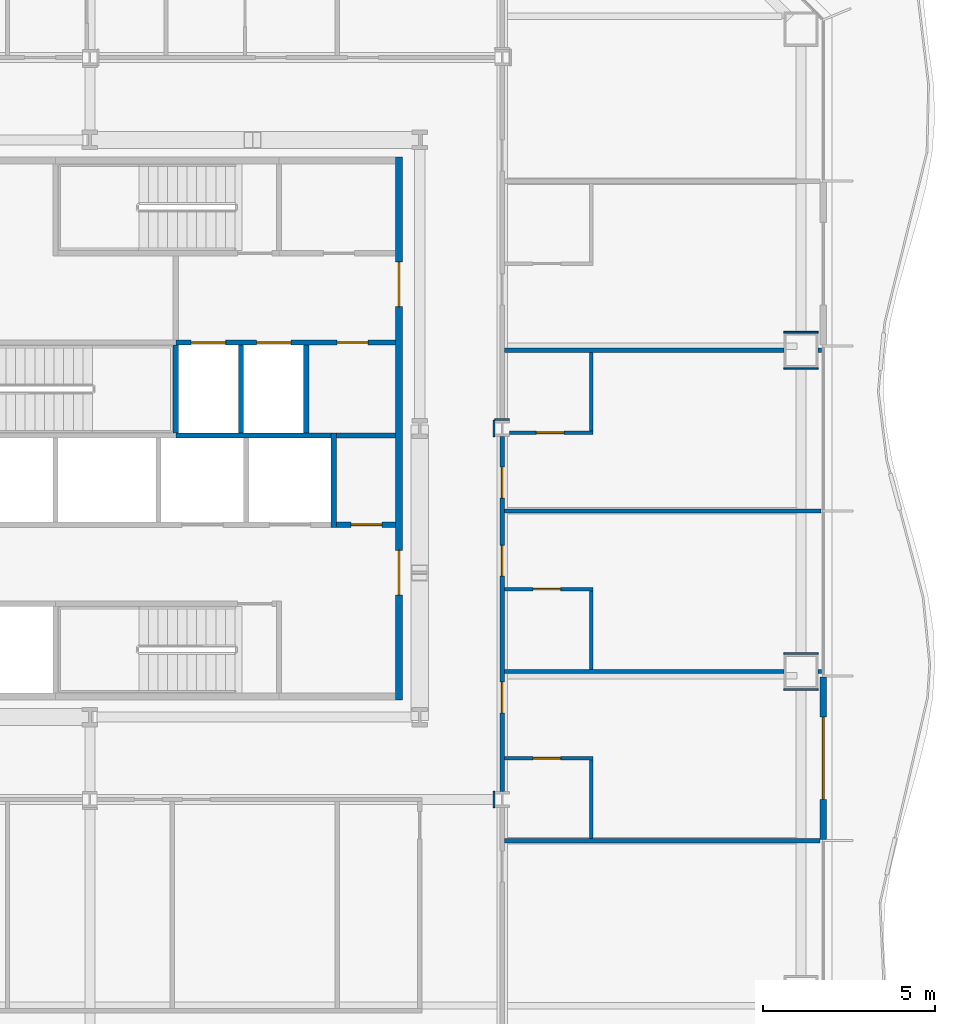
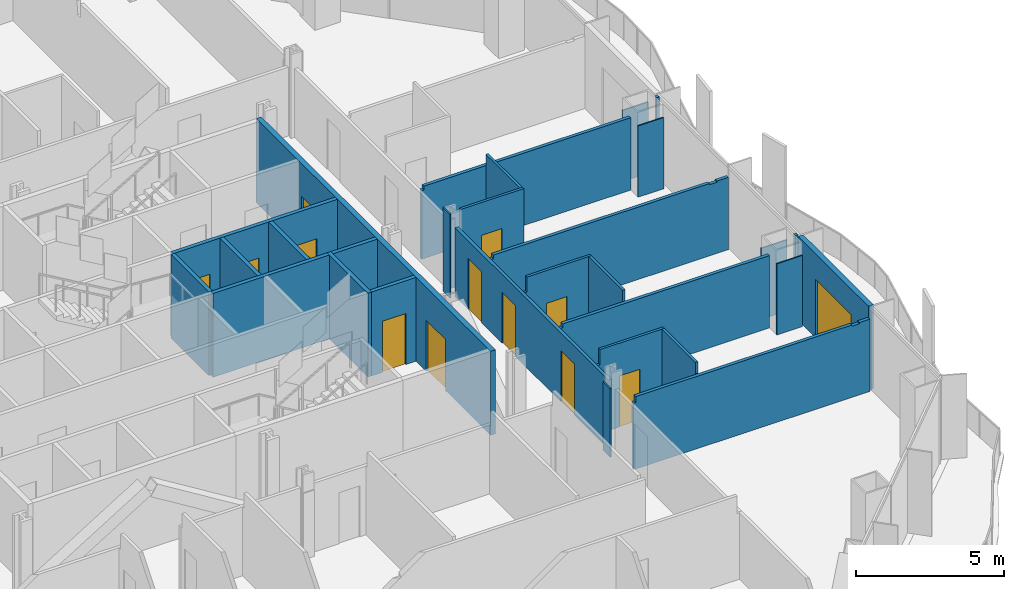
# One storey, part 11 of 21: 30 walls, 13 doors, 13 openings.
"""IFC4 building model written with IfcOpenShell, lengths in metres."""

from ifc_helpers import new_model, si_unit, direction, frame, frame_2d, origin, place, context, subcontext, project, spatial, polyline, rectangle, outline, extrude, material, layer, layer_set, type_object, element, fill, save


model = new_model("IFC4")

# Units and contexts
model_context = context("Model", 3, precision=1e-05, world=origin(), true_north=direction((0.0, 1.0)))
body_context = subcontext(model_context, "Body", "Model", "MODEL_VIEW")
ifc_project = project(units=[si_unit("LENGTHUNIT", "METRE"), si_unit("AREAUNIT", "SQUARE_METRE"), si_unit("VOLUMEUNIT", "CUBIC_METRE"), si_unit("PLANEANGLEUNIT", "RADIAN"), si_unit("MASSUNIT", "GRAM", prefix="KILO")], contexts=[model_context])

# Site, building, storey
site_placement = place(None, origin())
site = spatial("IfcSite", under=ifc_project, at=site_placement, CompositionType="ELEMENT")
building_placement = place(site_placement, origin())
building = spatial("IfcBuilding", under=site, at=building_placement, Name="Cairn Pilgrim Tower", CompositionType="ELEMENT")
storey_placement = place(building_placement, frame((0.0, 0.0, 54.60009765625)))
storey = spatial("IfcBuildingStorey", under=building, at=storey_placement, Name="L11", CompositionType="ELEMENT", Elevation=54.60009765625)

# Wall, opening, door
ifc_material_1 = material(Name="Bronze anodised aluminium insulated sandwich panel with mineral wool fill", Category="aluminium")
ifc_layer_1 = layer(ifc_material_1, 0.199951171875)
ifc_layer_set_1 = layer_set([ifc_layer_1], Name="BRONZE INFILL FRAME WALL 200")
wall_type_1 = type_object("IfcWallType", Name="BRONZE INFILL FRAME WALL 200", PredefinedType="NOTDEFINED", material=ifc_layer_set_1)
wall_1_placement = place(storey_placement, frame((28.550048828125, -9.570068359375, 0.0), z_axis=(0.0, 0.0, 1.0), x_axis=(0.0, 1.0, 0.0)))
wall_1 = element("IfcWall", 1, at=wall_1_placement, inside=storey, type_object=wall_type_1, Name="Bronze infill frame wall IW-E2", PredefinedType="NOTDEFINED", context=body_context, shape_type="SweptSolid", body=[
    extrude(rectangle(XDim=4.739990234375, YDim=0.199951171875, at=frame_2d((2.3701171875, 0.0))), origin(), (0.0, 0.0, 1.0), 3.449951171875),
])
opening_1_placement = place(wall_1_placement, frame((1.169921875, 0.0, 0.0)))
opening_1 = element("IfcOpeningElement", 2, at=opening_1_placement, cuts=wall_1, Name="Opening 1123B", PredefinedType="OPENING", context=body_context, shape_type="SweptSolid", body=[
    extrude(rectangle(XDim=2.39990234375, YDim=2.39990234375, at=frame_2d((1.199951171875, 1.199951171875))), frame((0.0, 0.10986328125, 0.0), z_axis=(0.0, -1.0, 0.0), x_axis=(1.0, 0.0, 0.0)), (0.0, 0.0, 1.0), 0.219970703125),
])
ifc_material_2 = material(Name="Bronze anodised aluminium frame with tinted low-E glass", Category="aluminium")
door_type_1 = type_object("IfcDoorType", Name="BALCONY SLIDING DOOR 2400x2400", OperationType="DOUBLE_DOOR_SLIDING", PredefinedType="DOOR", material=ifc_material_2)
door_1_placement = place(opening_1_placement, origin())
door_1 = element("IfcDoor", 3, at=door_1_placement, inside=storey, type_object=door_type_1, Name="Balcony sliding door 1123B", OperationType="SINGLE_SWING_LEFT", OverallHeight=2.39990234375, OverallWidth=2.39990234375, PredefinedType="DOOR", context=body_context, shape_type="SweptSolid", body=[
    extrude(rectangle(XDim=2.39990234375, YDim=2.39990234375, at=frame_2d((1.199951171875, 1.199951171875))), frame((0.0, 0.02490234375, 0.0), z_axis=(0.0, -1.0, 0.0), x_axis=(1.0, 0.0, 0.0)), (0.0, 0.0, 1.0), 0.050048828125),
])
fill(opening_1, door_1)

# Wall, openings, doors
ifc_material_3 = material(Name="Concrete C32/40", Category="concrete")
ifc_layer_2 = layer(ifc_material_3, 0.199951171875)
ifc_layer_set_2 = layer_set([ifc_layer_2], Name="CORE OUTER WALL 200 EI 120")
wall_type_2 = type_object("IfcWallType", Name="CORE OUTER WALL 200 EI 120", PredefinedType="SOLIDWALL", material=ifc_layer_set_2)
wall_2_placement = place(storey_placement, frame((16.199951171875, -5.5, 0.0), z_axis=(0.0, 0.0, 1.0), x_axis=(0.0, 1.0, 0.0)))
wall_2 = element("IfcWall", 4, at=wall_2_placement, inside=storey, type_object=wall_type_2, Name="CW:L11:V33", PredefinedType="SOLIDWALL", context=body_context, shape_type="SweptSolid", body=[
    extrude(rectangle(XDim=15.800048828125, YDim=0.199951171875, at=frame_2d((7.89990234375, 0.0))), origin(), (0.0, 0.0, 1.0), 3.449951171875),
])
opening_2_placement = place(wall_2_placement, frame((3.050048828125, 0.0, 0.0)))
opening_2 = element("IfcOpeningElement", 5, at=opening_2_placement, cuts=wall_2, Name="Opening CD-E1", PredefinedType="OPENING", context=body_context, shape_type="SweptSolid", body=[
    extrude(rectangle(XDim=1.300048828125, YDim=2.10009765625, at=frame_2d((0.64990234375, 1.050048828125))), frame((0.0, 0.10986328125, 0.0), z_axis=(0.0, -1.0, 0.0), x_axis=(1.0, 0.0, 0.0)), (0.0, 0.0, 1.0), 0.219970703125),
])
opening_3_placement = place(wall_2_placement, frame((11.449951171875, 0.0, 0.0)))
opening_3 = element("IfcOpeningElement", 6, at=opening_3_placement, cuts=wall_2, Name="Opening CD-E2", PredefinedType="OPENING", context=body_context, shape_type="SweptSolid", body=[
    extrude(rectangle(XDim=1.300048828125, YDim=2.10009765625, at=frame_2d((0.64990234375, 1.050048828125))), frame((0.0, 0.10986328125, 0.0), z_axis=(0.0, -1.0, 0.0), x_axis=(1.0, 0.0, 0.0)), (0.0, 0.0, 1.0), 0.219970703125),
])
ifc_material_4 = material(Name="Painted steel", Category="steel")
door_type_2 = type_object("IfcDoorType", Name="CORE LOBBY DOOR 1300x2100", OperationType="DOUBLE_DOOR_SINGLE_SWING", PredefinedType="DOOR", material=ifc_material_4)
door_2_placement = place(opening_2_placement, origin())
door_2 = element("IfcDoor", 7, at=door_2_placement, inside=storey, type_object=door_type_2, Name="CD-E1", OperationType="DOUBLE_DOOR_SINGLE_SWING", OverallHeight=2.10009765625, OverallWidth=1.300048828125, PredefinedType="DOOR", context=body_context, shape_type="SweptSolid", body=[
    extrude(rectangle(XDim=1.300048828125, YDim=2.10009765625, at=frame_2d((0.64990234375, 1.050048828125))), frame((0.0, 0.02490234375, 0.0), z_axis=(0.0, -1.0, 0.0), x_axis=(1.0, 0.0, 0.0)), (0.0, 0.0, 1.0), 0.050048828125),
])
fill(opening_2, door_2)
door_3_placement = place(opening_3_placement, origin())
door_3 = element("IfcDoor", 8, at=door_3_placement, inside=storey, type_object=door_type_2, Name="CD-E2", OperationType="DOUBLE_DOOR_SINGLE_SWING", OverallHeight=2.10009765625, OverallWidth=1.300048828125, PredefinedType="DOOR", context=body_context, shape_type="SweptSolid", body=[
    extrude(rectangle(XDim=1.300048828125, YDim=2.10009765625, at=frame_2d((0.64990234375, 1.050048828125))), frame((0.0, 0.02490234375, 0.0), z_axis=(0.0, -1.0, 0.0), x_axis=(1.0, 0.0, 0.0)), (0.0, 0.0, 1.0), 0.050048828125),
])
fill(opening_3, door_3)

# Wall, opening, door
ifc_layer_3 = layer(ifc_material_3, 0.14990234375)
ifc_layer_set_3 = layer_set([ifc_layer_3], Name="CORE PARTITION 150 EI 60")
wall_type_3 = type_object("IfcWallType", Name="CORE PARTITION 150 EI 60", PredefinedType="PARTITIONING", material=ifc_layer_set_3)
wall_3_placement = place(storey_placement, frame((14.375, -0.39990234375, 0.0), z_axis=(0.0, 0.0, 1.0), x_axis=(1.0, 0.0, 0.0)))
wall_3 = element("IfcWall", 9, at=wall_3_placement, inside=storey, type_object=wall_type_3, Name="CW:L11:H04", PredefinedType="PARTITIONING", context=body_context, shape_type="SweptSolid", body=[
    extrude(rectangle(XDim=1.72509765625, YDim=0.14990234375, at=frame_2d((0.862548828125, 0.0))), origin(), (0.0, 0.0, 1.0), 3.449951171875),
])
opening_4_placement = place(wall_3_placement, frame((0.425048828125, 0.0, 0.0)))
opening_4 = element("IfcOpeningElement", 10, at=opening_4_placement, cuts=wall_3, Name="Opening RD-R2E", PredefinedType="OPENING", context=body_context, shape_type="SweptSolid", body=[
    extrude(rectangle(XDim=0.89990234375, YDim=2.10009765625, at=frame_2d((0.449951171875, 1.050048828125))), frame((0.0, 0.0849609375, 0.0), z_axis=(0.0, -1.0, 0.0), x_axis=(1.0, 0.0, 0.0)), (0.0, 0.0, 1.0), 0.169921875),
])
door_type_3 = type_object("IfcDoorType", Name="SERVICE ROOM DOOR 900x2100", OperationType="SINGLE_SWING_LEFT", PredefinedType="DOOR", material=ifc_material_4)
door_4_placement = place(opening_4_placement, origin())
door_4 = element("IfcDoor", 11, at=door_4_placement, inside=storey, type_object=door_type_3, Name="RD-R2E", OperationType="SINGLE_SWING_RIGHT", OverallHeight=2.10009765625, OverallWidth=0.89990234375, PredefinedType="DOOR", context=body_context, shape_type="SweptSolid", body=[
    extrude(rectangle(XDim=0.89990234375, YDim=2.10009765625, at=frame_2d((0.449951171875, 1.050048828125))), frame((0.0, 0.02490234375, 0.0), z_axis=(0.0, -1.0, 0.0), x_axis=(1.0, 0.0, 0.0)), (0.0, 0.0, 1.0), 0.050048828125),
])
fill(opening_4, door_4)

# Walls
wall_4_placement = place(storey_placement, frame((14.375, 2.199951171875, 0.0), z_axis=(0.0, 0.0, 1.0), x_axis=(1.0, 0.0, 0.0)))
element("IfcWall", 12, at=wall_4_placement, inside=storey, type_object=wall_type_3, Name="CW:L11:H06", PredefinedType="PARTITIONING", context=body_context, shape_type="SweptSolid", body=[
    extrude(rectangle(XDim=1.72509765625, YDim=0.14990234375, at=frame_2d((0.862548828125, 0.0))), origin(), (0.0, 0.0, 1.0), 3.449951171875),
])
ifc_layer_4 = layer(ifc_material_3, 0.14990234375)
ifc_layer_set_4 = layer_set([ifc_layer_4], Name="CORE SHAFT WALL 150 EI 120")
wall_type_4 = type_object("IfcWallType", Name="CORE SHAFT WALL 150 EI 120", PredefinedType="SOLIDWALL", material=ifc_layer_set_4)
wall_5_placement = place(storey_placement, frame((9.699951171875, 2.199951171875, 0.0), z_axis=(0.0, 0.0, 1.0), x_axis=(1.0, 0.0, 0.0)))
element("IfcWall", 13, at=wall_5_placement, inside=storey, type_object=wall_type_4, Name="CW:L11:H05-3", PredefinedType="SOLIDWALL", context=body_context, shape_type="SweptSolid", body=[
    extrude(rectangle(XDim=4.525146484375, YDim=0.14990234375, at=frame_2d((2.2626953125, 0.0))), origin(), (0.0, 0.0, 1.0), 3.449951171875),
])

# Wall, openings, doors
wall_6_placement = place(storey_placement, frame((9.699951171875, 4.89990234375, 0.0), z_axis=(0.0, 0.0, 1.0), x_axis=(1.0, 0.0, 0.0)))
wall_6 = element("IfcWall", 14, at=wall_6_placement, inside=storey, type_object=wall_type_4, Name="CW:L11:H08-2", PredefinedType="SOLIDWALL", context=body_context, shape_type="SweptSolid", body=[
    extrude(rectangle(XDim=6.400146484375, YDim=0.14990234375, at=frame_2d((3.2001953125, 0.0))), origin(), (0.0, 0.0, 1.0), 3.449951171875),
])
opening_5_placement = place(wall_6_placement, frame((0.449951171875, 0.0, 0.0)))
opening_5 = element("IfcOpeningElement", 15, at=opening_5_placement, cuts=wall_6, Name="Opening LD-FF1", PredefinedType="OPENING", context=body_context, shape_type="SweptSolid", body=[
    extrude(rectangle(XDim=1.0, YDim=2.10009765625, at=frame_2d((0.5, 1.050048828125))), frame((0.0, 0.0849609375, 0.0), z_axis=(0.0, -1.0, 0.0), x_axis=(1.0, 0.0, 0.0)), (0.0, 0.0, 1.0), 0.169921875),
])
opening_6_placement = place(wall_6_placement, frame((2.35009765625, 0.0, 0.0)))
opening_6 = element("IfcOpeningElement", 16, at=opening_6_placement, cuts=wall_6, Name="Opening LD-FF2", PredefinedType="OPENING", context=body_context, shape_type="SweptSolid", body=[
    extrude(rectangle(XDim=1.0, YDim=2.10009765625, at=frame_2d((0.5, 1.050048828125))), frame((0.0, 0.0849609375, 0.0), z_axis=(0.0, -1.0, 0.0), x_axis=(1.0, 0.0, 0.0)), (0.0, 0.0, 1.0), 0.169921875),
])
opening_7_placement = place(wall_6_placement, frame((4.699951171875, 0.0, 0.0)))
opening_7 = element("IfcOpeningElement", 17, at=opening_7_placement, cuts=wall_6, Name="Opening RD-R3E", PredefinedType="OPENING", context=body_context, shape_type="SweptSolid", body=[
    extrude(rectangle(XDim=0.89990234375, YDim=2.10009765625, at=frame_2d((0.449951171875, 1.050048828125))), frame((0.0, 0.0849609375, 0.0), z_axis=(0.0, -1.0, 0.0), x_axis=(1.0, 0.0, 0.0)), (0.0, 0.0, 1.0), 0.169921875),
])
ifc_material_5 = material(Name="Stainless steel", Category="steel")
door_type_4 = type_object("IfcDoorType", Name="LIFT LANDING DOOR FIRE 1000x2100", OperationType="DOUBLE_DOOR_SLIDING", PredefinedType="DOOR", material=ifc_material_5)
door_5_placement = place(opening_5_placement, origin())
door_5 = element("IfcDoor", 18, at=door_5_placement, inside=storey, type_object=door_type_4, Name="LANDING DOOR FF1", OperationType="DOUBLE_DOOR_SLIDING", OverallHeight=2.10009765625, OverallWidth=1.0, PredefinedType="DOOR", context=body_context, shape_type="SweptSolid", body=[
    extrude(rectangle(XDim=1.0, YDim=2.10009765625, at=frame_2d((0.5, 1.050048828125))), frame((0.0, 0.02490234375, 0.0), z_axis=(0.0, -1.0, 0.0), x_axis=(1.0, 0.0, 0.0)), (0.0, 0.0, 1.0), 0.050048828125),
])
fill(opening_5, door_5)
door_6_placement = place(opening_6_placement, origin())
door_6 = element("IfcDoor", 19, at=door_6_placement, inside=storey, type_object=door_type_4, Name="LANDING DOOR FF2", OperationType="DOUBLE_DOOR_SLIDING", OverallHeight=2.10009765625, OverallWidth=1.0, PredefinedType="DOOR", context=body_context, shape_type="SweptSolid", body=[
    extrude(rectangle(XDim=1.0, YDim=2.10009765625, at=frame_2d((0.5, 1.050048828125))), frame((0.0, 0.02490234375, 0.0), z_axis=(0.0, -1.0, 0.0), x_axis=(1.0, 0.0, 0.0)), (0.0, 0.0, 1.0), 0.050048828125),
])
fill(opening_6, door_6)
door_7_placement = place(opening_7_placement, origin())
door_7 = element("IfcDoor", 20, at=door_7_placement, inside=storey, type_object=door_type_3, Name="RD-R3E", OperationType="SINGLE_SWING_LEFT", OverallHeight=2.10009765625, OverallWidth=0.89990234375, PredefinedType="DOOR", context=body_context, shape_type="SweptSolid", body=[
    extrude(rectangle(XDim=0.89990234375, YDim=2.10009765625, at=frame_2d((0.449951171875, 1.050048828125))), frame((0.0, 0.02490234375, 0.0), z_axis=(0.0, -1.0, 0.0), x_axis=(1.0, 0.0, 0.0)), (0.0, 0.0, 1.0), 0.050048828125),
])
fill(opening_7, door_7)

# Walls
for number, where, z_axis, x_axis, name in (
    (21, (11.60009765625, 2.27490234375, 0.0), (0.0, 0.0, 1.0), (0.0, 1.0, 0.0), "CW:L11:V27"),
    (22, (13.5, 2.27490234375, 0.0), (0.0, 0.0, 1.0), (0.0, 1.0, 0.0), "CW:L11:V31"),
):
    element("IfcWall", number, at=place(storey_placement, frame(where, z_axis=z_axis, x_axis=x_axis)), inside=storey, type_object=wall_type_4, Name=name, PredefinedType="SOLIDWALL", context=body_context, shape_type="SweptSolid", body=[
        extrude(rectangle(XDim=2.550048828125, YDim=0.14990234375, at=frame_2d((1.27490234375, 0.0))), origin(), (0.0, 0.0, 1.0), 3.449951171875),
    ])
wall_7_placement = place(storey_placement, frame((14.300048828125, -0.47509765625, 0.0), z_axis=(0.0, 0.0, 1.0), x_axis=(0.0, 1.0, 0.0)))
element("IfcWall", 23, at=wall_7_placement, inside=storey, type_object=wall_type_4, Name="CW:L11:V32", PredefinedType="SOLIDWALL", context=body_context, shape_type="SweptSolid", body=[
    extrude(rectangle(XDim=2.75, YDim=0.14990234375, at=frame_2d((1.375, 0.0))), origin(), (0.0, 0.0, 1.0), 3.449951171875),
])
ifc_material_6 = material(Name="Gypsum partition")
ifc_layer_5 = layer(ifc_material_6, 0.10009765625)
ifc_layer_set_5 = layer_set([ifc_layer_5], Name="PARTITION 100 DRYWALL")
wall_type_5 = type_object("IfcWallType", Name="PARTITION 100 DRYWALL", PredefinedType="PARTITIONING", material=ifc_layer_set_5)
wall_8_placement = place(storey_placement, frame((21.800048828125, -9.53759765625, 0.0), z_axis=(0.0, 0.0, 1.0), x_axis=(0.0, 1.0, 0.0)))
element("IfcWall", 24, at=wall_8_placement, inside=storey, type_object=wall_type_5, Name="PARTITION W029", PredefinedType="PARTITIONING", context=body_context, shape_type="SweptSolid", body=[
    extrude(outline(polyline([(0.0, 0.0), (2.28759765625, 0.0), (2.28759765625, 3.449951171875), (0.032470703125, 3.449951171875), (0.030517578125, 2.97998046875), (0.0, 2.97998046875), (0.0, 0.0)])), frame((0.0, 0.050048828125, 0.0), z_axis=(0.0, -1.0, 0.0), x_axis=(1.0, 0.0, 0.0)), (0.0, 0.0, 1.0), 0.10009765625),
])

# Wall, opening, door
wall_9_placement = place(storey_placement, frame((19.262451171875, -7.199951171875, 0.0), z_axis=(0.0, 0.0, 1.0), x_axis=(1.0, 0.0, 0.0)))
wall_9 = element("IfcWall", 25, at=wall_9_placement, inside=storey, type_object=wall_type_5, Name="PARTITION W036", PredefinedType="PARTITIONING", context=body_context, shape_type="SweptSolid", body=[
    extrude(outline(polyline([(0.0, 0.0), (2.587646484375, 0.0), (2.58740234375, 3.449951171875), (0.08740234375, 3.449951171875), (0.08544921875, 2.829833984375), (0.0, 2.829833984375), (0.0, 0.0)])), frame((0.0, 0.050048828125, 0.0), z_axis=(0.0, -1.0, 0.0), x_axis=(1.0, 0.0, 0.0)), (0.0, 0.0, 1.0), 0.10009765625),
])
opening_8_placement = place(wall_9_placement, frame((0.83740234375, 0.0, 0.0)))
opening_8 = element("IfcOpeningElement", 26, at=opening_8_placement, cuts=wall_9, Name="Opening 1123E", PredefinedType="OPENING", context=body_context, shape_type="SweptSolid", body=[
    extrude(rectangle(XDim=0.800048828125, YDim=2.10009765625, at=frame_2d((0.39990234375, 1.050048828125))), frame((0.0, 0.06005859375, 0.0), z_axis=(0.0, -1.0, 0.0), x_axis=(1.0, 0.0, 0.0)), (0.0, 0.0, 1.0), 0.1201171875),
])
ifc_material_7 = material(Name="Timber door leaf", Category="wood")
door_type_5 = type_object("IfcDoorType", Name="DOOR 800x2100", OperationType="NOTDEFINED", PredefinedType="DOOR", material=ifc_material_7)
door_8_placement = place(opening_8_placement, frame((0.800048828125, 0.0, 0.0), z_axis=(0.0, 0.0, 1.0), x_axis=(-1.0, 0.0, 0.0)))
door_8 = element("IfcDoor", 27, at=door_8_placement, inside=storey, type_object=door_type_5, Name="DOOR 1123E", OperationType="SINGLE_SWING_LEFT", OverallHeight=2.10009765625, OverallWidth=0.800048828125, PredefinedType="DOOR", context=body_context, shape_type="SweptSolid", body=[
    extrude(rectangle(XDim=0.800048828125, YDim=2.10009765625, at=frame_2d((0.39990234375, 1.050048828125))), frame((0.0, 0.02490234375, 0.0), z_axis=(0.0, -1.0, 0.0), x_axis=(1.0, 0.0, 0.0)), (0.0, 0.0, 1.0), 0.050048828125),
])
fill(opening_8, door_8)

# Wall
wall_10_placement = place(storey_placement, frame((21.800048828125, -4.613525390625, 0.0), z_axis=(0.0, 0.0, 1.0), x_axis=(0.0, 1.0, 0.0)))
element("IfcWall", 28, at=wall_10_placement, inside=storey, type_object=wall_type_5, Name="PARTITION W042", PredefinedType="PARTITIONING", context=body_context, shape_type="SweptSolid", body=[
    extrude(rectangle(XDim=2.28759765625, YDim=0.10009765625, at=frame_2d((1.143798828125, 0.0))), origin(), (0.0, 0.0, 1.0), 3.449951171875),
])

# Wall, opening, door
wall_11_placement = place(storey_placement, frame((19.262451171875, -2.27587890625, 0.0), z_axis=(0.0, 0.0, 1.0), x_axis=(1.0, 0.0, 0.0)))
wall_11 = element("IfcWall", 29, at=wall_11_placement, inside=storey, type_object=wall_type_5, Name="PARTITION W043", PredefinedType="PARTITIONING", context=body_context, shape_type="SweptSolid", body=[
    extrude(outline(polyline([(0.0, 0.0), (2.587646484375, 0.0), (2.58740234375, 3.449951171875), (0.08740234375, 3.449951171875), (0.08544921875, 2.829833984375), (0.0, 2.829833984375), (0.0, 0.0)])), frame((0.0, 0.050048828125, 0.0), z_axis=(0.0, -1.0, 0.0), x_axis=(1.0, 0.0, 0.0)), (0.0, 0.0, 1.0), 0.10009765625),
])
opening_9_placement = place(wall_11_placement, frame((0.83740234375, 0.0, 0.0)))
opening_9 = element("IfcOpeningElement", 30, at=opening_9_placement, cuts=wall_11, Name="Opening 1124E", PredefinedType="OPENING", context=body_context, shape_type="SweptSolid", body=[
    extrude(rectangle(XDim=0.800048828125, YDim=2.10009765625, at=frame_2d((0.39990234375, 1.050048828125))), frame((0.0, 0.06005859375, 0.0), z_axis=(0.0, -1.0, 0.0), x_axis=(1.0, 0.0, 0.0)), (0.0, 0.0, 1.0), 0.1201171875),
])
door_9_placement = place(opening_9_placement, frame((0.800048828125, 0.0, 0.0), z_axis=(0.0, 0.0, 1.0), x_axis=(-1.0, 0.0, 0.0)))
door_9 = element("IfcDoor", 31, at=door_9_placement, inside=storey, type_object=door_type_5, Name="DOOR 1124E", OperationType="SINGLE_SWING_LEFT", OverallHeight=2.10009765625, OverallWidth=0.800048828125, PredefinedType="DOOR", context=body_context, shape_type="SweptSolid", body=[
    extrude(rectangle(XDim=0.800048828125, YDim=2.10009765625, at=frame_2d((0.39990234375, 1.050048828125))), frame((0.0, 0.02490234375, 0.0), z_axis=(0.0, -1.0, 0.0), x_axis=(1.0, 0.0, 0.0)), (0.0, 0.0, 1.0), 0.050048828125),
])
fill(opening_9, door_9)

wall_12_placement = place(storey_placement, frame((19.412109375, 2.27587890625, 0.0), z_axis=(0.0, 0.0, 1.0), x_axis=(1.0, 0.0, 0.0)))
wall_12 = element("IfcWall", 32, at=wall_12_placement, inside=storey, type_object=wall_type_5, Name="PARTITION W048", PredefinedType="PARTITIONING", context=body_context, shape_type="SweptSolid", body=[
    extrude(rectangle(XDim=2.43798828125, YDim=0.10009765625, at=frame_2d((1.218994140625, 0.0))), origin(), (0.0, 0.0, 1.0), 3.449951171875),
])
opening_10_placement = place(wall_12_placement, frame((0.7880859375, 0.0, 0.0)))
opening_10 = element("IfcOpeningElement", 33, at=opening_10_placement, cuts=wall_12, Name="Opening 1125E", PredefinedType="OPENING", context=body_context, shape_type="SweptSolid", body=[
    extrude(rectangle(XDim=0.800048828125, YDim=2.10009765625, at=frame_2d((0.39990234375, 1.050048828125))), frame((0.0, 0.06005859375, 0.0), z_axis=(0.0, -1.0, 0.0), x_axis=(1.0, 0.0, 0.0)), (0.0, 0.0, 1.0), 0.1201171875),
])
door_10_placement = place(opening_10_placement, origin())
door_10 = element("IfcDoor", 34, at=door_10_placement, inside=storey, type_object=door_type_5, Name="DOOR 1125E", OperationType="SINGLE_SWING_LEFT", OverallHeight=2.10009765625, OverallWidth=0.800048828125, PredefinedType="DOOR", context=body_context, shape_type="SweptSolid", body=[
    extrude(rectangle(XDim=0.800048828125, YDim=2.10009765625, at=frame_2d((0.39990234375, 1.050048828125))), frame((0.0, 0.02490234375, 0.0), z_axis=(0.0, -1.0, 0.0), x_axis=(1.0, 0.0, 0.0)), (0.0, 0.0, 1.0), 0.050048828125),
])
fill(opening_10, door_10)

# Walls
wall_13_placement = place(storey_placement, frame((21.800048828125, 2.325927734375, 0.0), z_axis=(0.0, 0.0, 1.0), x_axis=(0.0, 1.0, 0.0)))
element("IfcWall", 35, at=wall_13_placement, inside=storey, type_object=wall_type_5, Name="PARTITION W049", PredefinedType="PARTITIONING", context=body_context, shape_type="SweptSolid", body=[
    extrude(rectangle(XDim=2.28759765625, YDim=0.10009765625, at=frame_2d((1.143798828125, 0.0))), origin(), (0.0, 0.0, 1.0), 3.449951171875),
])
ifc_layer_6 = layer(ifc_material_6, 0.125)
ifc_layer_set_6 = layer_set([ifc_layer_6], Name="PARTITION 125 DRYWALL EI 60")
wall_type_6 = type_object("IfcWallType", Name="PARTITION 125 DRYWALL EI 60", PredefinedType="PARTITIONING", material=ifc_layer_set_6)
wall_14_placement = place(storey_placement, frame((19.262451171875, -9.60009765625, 0.0), z_axis=(0.0, 0.0, 1.0), x_axis=(1.0, 0.0, 0.0)))
element("IfcWall", 36, at=wall_14_placement, inside=storey, type_object=wall_type_6, Name="PARTITION W028", PredefinedType="PARTITIONING", context=body_context, shape_type="SweptSolid", body=[
    extrude(outline(polyline([(0.0, 0.0), (9.1875, 0.0), (9.1875, 2.97998046875), (8.78759765625, 2.97998046875), (8.785400390625, 2.929931640625), (8.487548828125, 2.929931640625), (8.485595703125, 2.97998046875), (0.08740234375, 2.97998046875), (0.08544921875, 2.72998046875), (0.0, 2.72998046875), (0.0, 0.0)])), frame((0.0, 0.0625, 0.0), z_axis=(0.0, -1.0, 0.0), x_axis=(1.0, 0.0, 0.0)), (0.0, 0.0, 1.0), 0.125),
])

# Wall, openings, doors
wall_15_placement = place(storey_placement, frame((19.199951171875, -8.1630859375, 0.0), z_axis=(0.0, 0.0, 1.0), x_axis=(0.0, 1.0, 0.0)))
wall_15 = element("IfcWall", 37, at=wall_15_placement, inside=storey, type_object=wall_type_6, Name="PARTITION W035", PredefinedType="PARTITIONING", context=body_context, shape_type="SweptSolid", body=[
    extrude(rectangle(XDim=10.326171875, YDim=0.125, at=frame_2d((5.1630859375, 0.0))), origin(), (0.0, 0.0, 1.0), 2.829833984375),
])
opening_11_placement = place(wall_15_placement, frame((2.287109375, 0.0, 0.0)))
opening_11 = element("IfcOpeningElement", 38, at=opening_11_placement, cuts=wall_15, Name="Opening 1123", PredefinedType="OPENING", context=body_context, shape_type="SweptSolid", body=[
    extrude(rectangle(XDim=0.89990234375, YDim=2.10009765625, at=frame_2d((0.449951171875, 1.050048828125))), frame((0.0, 0.072509765625, 0.0), z_axis=(0.0, -1.0, 0.0), x_axis=(1.0, 0.0, 0.0)), (0.0, 0.0, 1.0), 0.14501953125),
])
opening_12_placement = place(wall_15_placement, frame((6.262939453125, 0.0, 0.0)))
opening_12 = element("IfcOpeningElement", 39, at=opening_12_placement, cuts=wall_15, Name="Opening 1124", PredefinedType="OPENING", context=body_context, shape_type="SweptSolid", body=[
    extrude(rectangle(XDim=0.89990234375, YDim=2.10009765625, at=frame_2d((0.449951171875, 1.050048828125))), frame((0.0, 0.072509765625, 0.0), z_axis=(0.0, -1.0, 0.0), x_axis=(1.0, 0.0, 0.0)), (0.0, 0.0, 1.0), 0.14501953125),
])
opening_13_placement = place(wall_15_placement, frame((8.5390625, 0.0, 0.0)))
opening_13 = element("IfcOpeningElement", 40, at=opening_13_placement, cuts=wall_15, Name="Opening 1125", PredefinedType="OPENING", context=body_context, shape_type="SweptSolid", body=[
    extrude(rectangle(XDim=0.89990234375, YDim=2.10009765625, at=frame_2d((0.449951171875, 1.050048828125))), frame((0.0, 0.072509765625, 0.0), z_axis=(0.0, -1.0, 0.0), x_axis=(1.0, 0.0, 0.0)), (0.0, 0.0, 1.0), 0.14501953125),
])
ifc_material_8 = material(Name="Steel-faced fire door leaf", Category="steel")
door_type_6 = type_object("IfcDoorType", Name="FIRE DOOR 900x2100 FD30S", OperationType="NOTDEFINED", PredefinedType="DOOR", material=ifc_material_8)
door_11_placement = place(opening_11_placement, frame((0.89990234375, 0.0, 0.0), z_axis=(0.0, 0.0, 1.0), x_axis=(-1.0, 0.0, 0.0)))
door_11 = element("IfcDoor", 41, at=door_11_placement, inside=storey, type_object=door_type_6, Name="DOOR 1123", OperationType="SINGLE_SWING_RIGHT", OverallHeight=2.10009765625, OverallWidth=0.89990234375, PredefinedType="DOOR", context=body_context, shape_type="SweptSolid", body=[
    extrude(rectangle(XDim=0.89990234375, YDim=2.10009765625, at=frame_2d((0.449951171875, 1.050048828125))), frame((0.0, 0.02490234375, 0.0), z_axis=(0.0, -1.0, 0.0), x_axis=(1.0, 0.0, 0.0)), (0.0, 0.0, 1.0), 0.050048828125),
])
fill(opening_11, door_11)
door_12_placement = place(opening_12_placement, frame((0.89990234375, 0.0, 0.0), z_axis=(0.0, 0.0, 1.0), x_axis=(-1.0, 0.0, 0.0)))
door_12 = element("IfcDoor", 42, at=door_12_placement, inside=storey, type_object=door_type_6, Name="DOOR 1124", OperationType="SINGLE_SWING_RIGHT", OverallHeight=2.10009765625, OverallWidth=0.89990234375, PredefinedType="DOOR", context=body_context, shape_type="SweptSolid", body=[
    extrude(rectangle(XDim=0.89990234375, YDim=2.10009765625, at=frame_2d((0.449951171875, 1.050048828125))), frame((0.0, 0.02490234375, 0.0), z_axis=(0.0, -1.0, 0.0), x_axis=(1.0, 0.0, 0.0)), (0.0, 0.0, 1.0), 0.050048828125),
])
fill(opening_12, door_12)
door_13_placement = place(opening_13_placement, frame((0.89990234375, 0.0, 0.0), z_axis=(0.0, 0.0, 1.0), x_axis=(-1.0, 0.0, 0.0)))
door_13 = element("IfcDoor", 43, at=door_13_placement, inside=storey, type_object=door_type_6, Name="DOOR 1125", OperationType="SINGLE_SWING_RIGHT", OverallHeight=2.10009765625, OverallWidth=0.89990234375, PredefinedType="DOOR", context=body_context, shape_type="SweptSolid", body=[
    extrude(rectangle(XDim=0.89990234375, YDim=2.10009765625, at=frame_2d((0.449951171875, 1.050048828125))), frame((0.0, 0.02490234375, 0.0), z_axis=(0.0, -1.0, 0.0), x_axis=(1.0, 0.0, 0.0)), (0.0, 0.0, 1.0), 0.050048828125),
])
fill(opening_13, door_13)

# Walls
wall_16_placement = place(storey_placement, frame((19.262451171875, -4.676025390625, 0.0), z_axis=(0.0, 0.0, 1.0), x_axis=(1.0, 0.0, 0.0)))
element("IfcWall", 44, at=wall_16_placement, inside=storey, type_object=wall_type_6, Name="PARTITION W040", PredefinedType="PARTITIONING", context=body_context, shape_type="SweptSolid", body=[
    extrude(outline(polyline([(0.0, 0.0), (8.137451171875, 0.0), (8.137451171875, 2.97998046875), (0.08740234375, 2.97998046875), (0.08544921875, 2.829833984375), (0.0, 2.829833984375), (0.0, 0.0)])), frame((0.0, 0.0625, 0.0), z_axis=(0.0, -1.0, 0.0), x_axis=(1.0, 0.0, 0.0)), (0.0, 0.0, 1.0), 0.125),
])
wall_17_placement = place(storey_placement, frame((28.39990234375, -4.676025390625, 0.0), z_axis=(0.0, 0.0, 1.0), x_axis=(1.0, 0.0, 0.0)))
element("IfcWall", 45, at=wall_17_placement, inside=storey, type_object=wall_type_6, Name="PARTITION W041", PredefinedType="PARTITIONING", context=body_context, shape_type="SweptSolid", body=[
    extrude(rectangle(XDim=0.10302734375, YDim=0.125, at=frame_2d((0.051513671875, 0.0))), origin(), (0.0, 0.0, 1.0), 3.449951171875),
])
wall_18_placement = place(storey_placement, frame((19.262451171875, 0.0, 0.0), z_axis=(0.0, 0.0, 1.0), x_axis=(1.0, 0.0, 0.0)))
element("IfcWall", 46, at=wall_18_placement, inside=storey, type_object=wall_type_6, Name="PARTITION W047", PredefinedType="PARTITIONING", context=body_context, shape_type="SweptSolid", body=[
    extrude(outline(polyline([(0.0, 0.0), (9.2275390625, 0.0), (9.2275390625, 2.97998046875), (8.78759765625, 2.97998046875), (8.785400390625, 2.929931640625), (8.487548828125, 2.929931640625), (8.485595703125, 2.97998046875), (0.08740234375, 2.97998046875), (0.08544921875, 2.829833984375), (0.0, 2.829833984375), (0.0, 0.0)])), frame((0.0, 0.0625, 0.0), z_axis=(0.0, -1.0, 0.0), x_axis=(1.0, 0.0, 0.0)), (0.0, 0.0, 1.0), 0.125),
])
wall_19_placement = place(storey_placement, frame((19.262451171875, 4.676025390625, 0.0), z_axis=(0.0, 0.0, 1.0), x_axis=(1.0, 0.0, 0.0)))
element("IfcWall", 47, at=wall_19_placement, inside=storey, type_object=wall_type_6, Name="PARTITION W057", PredefinedType="PARTITIONING", context=body_context, shape_type="SweptSolid", body=[
    extrude(outline(polyline([(0.0, 0.0), (8.137451171875, 0.0), (8.137451171875, 2.97998046875), (0.08740234375, 2.97998046875), (0.08544921875, 2.829833984375), (0.0, 2.829833984375), (0.0, 0.0)])), frame((0.0, 0.0625, 0.0), z_axis=(0.0, -1.0, 0.0), x_axis=(1.0, 0.0, 0.0)), (0.0, 0.0, 1.0), 0.125),
])
wall_20_placement = place(storey_placement, frame((28.39990234375, 4.676025390625, 0.0), z_axis=(0.0, 0.0, 1.0), x_axis=(1.0, 0.0, 0.0)))
element("IfcWall", 48, at=wall_20_placement, inside=storey, type_object=wall_type_6, Name="PARTITION W058", PredefinedType="PARTITIONING", context=body_context, shape_type="SweptSolid", body=[
    extrude(rectangle(XDim=0.10302734375, YDim=0.125, at=frame_2d((0.051513671875, 0.0))), origin(), (0.0, 0.0, 1.0), 3.449951171875),
])
ifc_layer_7 = layer(ifc_material_6, 0.050048828125)
ifc_layer_set_7 = layer_set([ifc_layer_7], Name="PARTITION 50 DRYWALL")
wall_type_7 = type_object("IfcWallType", Name="PARTITION 50 DRYWALL", PredefinedType="PARTITIONING", material=ifc_layer_set_7)
wall_21_placement = place(storey_placement, frame((18.988037109375, 2.662109375, 0.0), z_axis=(0.0, 0.0, 1.0), x_axis=(1.0, 0.0, 0.0)))
element("IfcWall", 49, at=wall_21_placement, inside=storey, type_object=wall_type_7, Name="COLUMN CASING WC22", PredefinedType="PARTITIONING", context=body_context, shape_type="SweptSolid", body=[
    extrude(rectangle(XDim=0.424072265625, YDim=0.050048828125, at=frame_2d((0.2119140625, 0.0))), origin(), (0.0, 0.0, 1.0), 2.829833984375),
])
ifc_layer_8 = layer(ifc_material_6, 0.050048828125)
ifc_layer_set_8 = layer_set([ifc_layer_8], Name="PARTITION 50 DRYWALL EI 60")
wall_type_8 = type_object("IfcWallType", Name="PARTITION 50 DRYWALL EI 60", PredefinedType="PARTITIONING", material=ifc_layer_set_8)
wall_22_placement = place(storey_placement, frame((18.962890625, -8.636962890625, 0.0), z_axis=(0.0, 0.0, 1.0), x_axis=(0.0, 1.0, 0.0)))
element("IfcWall", 50, at=wall_22_placement, inside=storey, type_object=wall_type_8, Name="COLUMN CASING WC09", PredefinedType="PARTITIONING", context=body_context, shape_type="SweptSolid", body=[
    extrude(rectangle(XDim=0.473876953125, YDim=0.050048828125, at=frame_2d((0.23681640625, 0.0))), origin(), (0.0, 0.0, 1.0), 2.829833984375),
])
wall_23_placement = place(storey_placement, frame((18.962890625, 2.1630859375, 0.0), z_axis=(0.0, 0.0, 1.0), x_axis=(0.0, 1.0, 0.0)))
element("IfcWall", 51, at=wall_23_placement, inside=storey, type_object=wall_type_8, Name="COLUMN CASING WC10", PredefinedType="PARTITIONING", context=body_context, shape_type="SweptSolid", body=[
    extrude(rectangle(XDim=0.473876953125, YDim=0.050048828125, at=frame_2d((0.23681640625, 0.0))), origin(), (0.0, 0.0, 1.0), 3.449951171875),
])
for number, where, z_axis, x_axis, name in (
    (52, (27.39990234375, -4.150634765625, 0.0), (0.0, 0.0, 1.0), (1.0, 0.0, 0.0), "COLUMN CASING WC19"),
    (53, (27.39990234375, -5.20068359375, 0.0), (0.0, 0.0, 1.0), (1.0, 0.0, 0.0), "COLUMN CASING WC20"),
    (54, (27.39990234375, 5.20068359375, 0.0), (0.0, 0.0, 1.0), (1.0, 0.0, 0.0), "COLUMN CASING WC28"),
    (55, (27.39990234375, 4.150634765625, 0.0), (0.0, 0.0, 1.0), (1.0, 0.0, 0.0), "COLUMN CASING WC29"),
):
    element("IfcWall", number, at=place(storey_placement, frame(where, z_axis=z_axis, x_axis=x_axis)), inside=storey, type_object=wall_type_8, Name=name, PredefinedType="PARTITIONING", context=body_context, shape_type="SweptSolid", body=[
        extrude(rectangle(XDim=1.0, YDim=0.050048828125, at=frame_2d((0.5, 0.0))), origin(), (0.0, 0.0, 1.0), 2.929931640625),
    ])
ifc_material_9 = material(Name="Concrete C35/45", Category="concrete")
ifc_layer_9 = layer(ifc_material_9, 0.14990234375)
ifc_layer_set_9 = layer_set([ifc_layer_9], Name="STAIR SHAFT WALL 150 EI 120")
wall_type_9 = type_object("IfcWallType", Name="STAIR SHAFT WALL 150 EI 120", PredefinedType="SOLIDWALL", material=ifc_layer_set_9)
wall_24_placement = place(storey_placement, frame((9.699951171875, 2.27490234375, 0.0), z_axis=(0.0, 0.0, 1.0), x_axis=(0.0, 1.0, 0.0)))
element("IfcWall", 56, at=wall_24_placement, inside=storey, type_object=wall_type_9, Name="CW:L11:V25", PredefinedType="SOLIDWALL", context=body_context, shape_type="SweptSolid", body=[
    extrude(rectangle(XDim=2.550048828125, YDim=0.14990234375, at=frame_2d((1.27490234375, 0.0))), origin(), (0.0, 0.0, 1.0), 3.449951171875),
])

save(model, "model.ifc")
